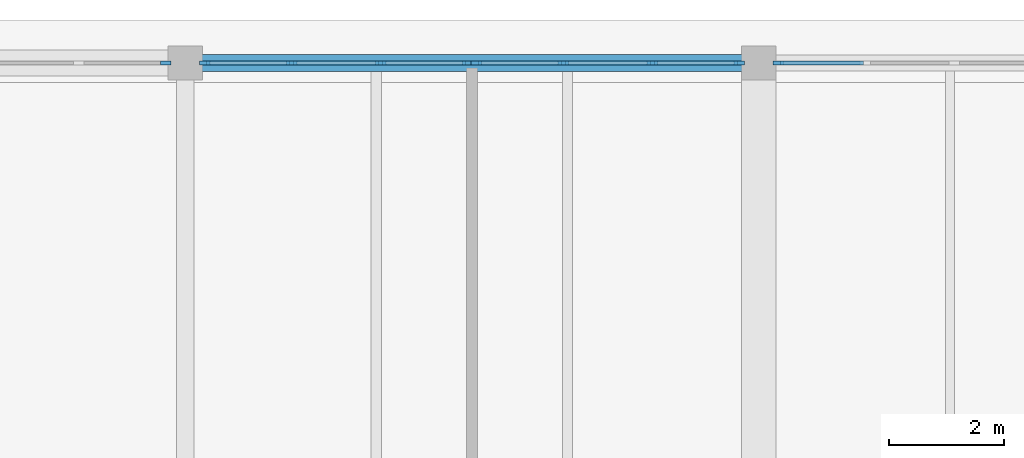
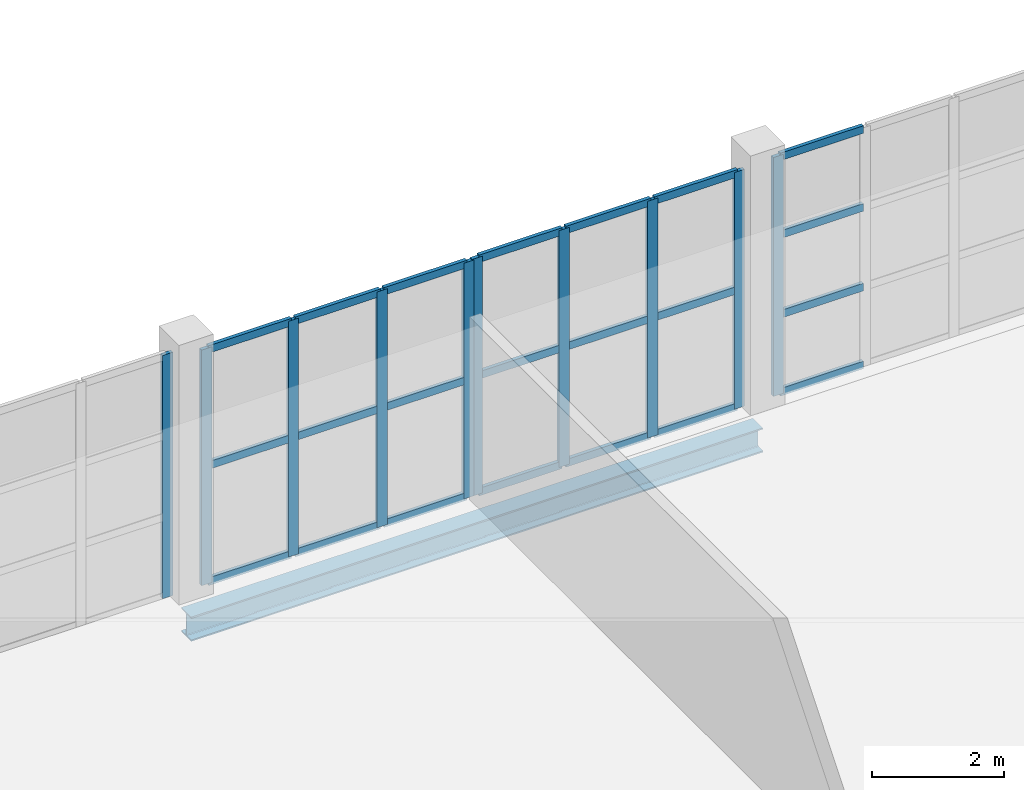
# One storey, part 40 of 121: 32 members, 1 beam, 4 elements without a shape of their own.
"""IFC4 building model written with IfcOpenShell, lengths in metres."""

from ifc_helpers import new_model, si_unit, direction, frame, origin, origin_2d, place, context, subcontext, project, spatial, rectangle, i_section, extrude, material, layer, layer_set, material_profile, profile_set, type_object, element, aggregate, save


model = new_model("IFC4")

# Units and contexts
model_context = context("Model", 3, precision=1e-05, world=origin(), true_north=direction((0.0, 1.0)))
body_context = subcontext(model_context, "Body", "Model", "MODEL_VIEW")
ifc_project = project(units=[si_unit("LENGTHUNIT", "METRE"), si_unit("AREAUNIT", "SQUARE_METRE"), si_unit("VOLUMEUNIT", "CUBIC_METRE"), si_unit("PLANEANGLEUNIT", "RADIAN"), si_unit("MASSUNIT", "GRAM", prefix="KILO")], contexts=[model_context])

# Site, building, storey
site_placement = place(None, origin())
site = spatial("IfcSite", under=ifc_project, at=site_placement, CompositionType="ELEMENT")
building_placement = place(site_placement, origin())
building = spatial("IfcBuilding", under=site, at=building_placement, Name="Zereglee Splitstone Museum", CompositionType="ELEMENT")
storey_placement = place(building_placement, origin())
storey = spatial("IfcBuildingStorey", under=building, at=storey_placement, Name="L00", CompositionType="ELEMENT", Elevation=0.0)

# Curtain wall, member
ifc_material_1 = material(Name="Triple-glazed low-E argon glass and bronze-anodised aluminium", Category="aluminium")
ifc_layer_1 = layer(ifc_material_1, 0.179931640625)
ifc_layer_set_1 = layer_set([ifc_layer_1], Name="Triple-glazed low-E argon glass and bronze-anodised aluminium")
curtain_wall_type_1 = type_object("IfcCurtainWallType", Name="CW-0465-442", PredefinedType="USERDEFINED", material=ifc_layer_set_1)
curtain_wall_1_placement = place(storey_placement, origin())
curtain_wall_1 = element("IfcCurtainWall", 1, at=curtain_wall_1_placement, inside=storey, type_object=curtain_wall_type_1, Name="Glazed Curtain Wall CW-0465-442 (L00)", ObjectType="GLAZED CURTAIN WALL", PredefinedType="USERDEFINED")
ifc_material_2 = material(Name="Thermally broken bronze-anodised aluminium", Category="aluminium")
ifc_material_profile_1 = material_profile(ifc_material_2, rectangle(XDim=0.06494140625, YDim=0.179931640625, at=origin_2d()), Name="CW MULL 65x180")
ifc_profile_set_1 = profile_set([ifc_material_profile_1], Name="Thermally broken bronze-anodised aluminium")
member_type_1 = type_object("IfcMemberType", Name="CWM-01", PredefinedType="MULLION", material=ifc_profile_set_1)
member_1_placement = place(storey_placement, frame((195.54052734375, 60.0, 0.0), z_axis=(0.0, 0.0, 1.0), x_axis=(0.0, -1.0, 0.0)))
member_1 = element("IfcMember", 2, at=member_1_placement, type_object=member_type_1, Name="CW-0465-442 mullion 4", PredefinedType="MULLION", context=body_context, shape_type="SweptSolid", body=[
    extrude(rectangle(XDim=0.06494140625, YDim=0.179931640625, at=origin_2d()), origin(), (0.0, 0.0, 1.0), 4.419921875),
])

# Curtain wall, members
ifc_layer_2 = layer(ifc_material_1, 0.179931640625)
ifc_layer_set_2 = layer_set([ifc_layer_2], Name="Triple-glazed low-E argon glass and bronze-anodised aluminium")
curtain_wall_type_2 = type_object("IfcCurtainWallType", Name="CW-0465-438", PredefinedType="USERDEFINED", material=ifc_layer_set_2)
curtain_wall_2_placement = place(storey_placement, origin())
curtain_wall_2 = element("IfcCurtainWall", 3, at=curtain_wall_2_placement, inside=storey, type_object=curtain_wall_type_2, Name="Glazed Curtain Wall CW-0465-438 (L00)", ObjectType="GLAZED CURTAIN WALL", PredefinedType="USERDEFINED")
member_2_placement = place(storey_placement, frame((194.859619140625, 60.0, 0.0), z_axis=(0.0, 0.0, 1.0), x_axis=(0.0, -1.0, 0.0)))
member_2 = element("IfcMember", 4, at=member_2_placement, type_object=member_type_1, Name="CW-0465-438 mullion 1", PredefinedType="MULLION", context=body_context, shape_type="SweptSolid", body=[
    extrude(rectangle(XDim=0.06494140625, YDim=0.179931640625, at=origin_2d()), origin(), (0.0, 0.0, 1.0), 4.3798828125),
])
member_3_placement = place(storey_placement, frame((193.34130859375, 60.0, 0.0), z_axis=(0.0, 0.0, 1.0), x_axis=(0.0, -1.0, 0.0)))
member_3 = element("IfcMember", 5, at=member_3_placement, type_object=member_type_1, Name="CW-0465-438 mullion 2", PredefinedType="MULLION", context=body_context, shape_type="SweptSolid", body=[
    extrude(rectangle(XDim=0.06494140625, YDim=0.179931640625, at=origin_2d()), origin(), (0.0, 0.0, 1.0), 4.3798828125),
])
member_4_placement = place(storey_placement, frame((191.790771484375, 60.0, 0.0), z_axis=(0.0, 0.0, 1.0), x_axis=(0.0, -1.0, 0.0)))
member_4 = element("IfcMember", 6, at=member_4_placement, type_object=member_type_1, Name="CW-0465-438 mullion 3", PredefinedType="MULLION", context=body_context, shape_type="SweptSolid", body=[
    extrude(rectangle(XDim=0.06494140625, YDim=0.179931640625, at=origin_2d()), origin(), (0.0, 0.0, 1.0), 4.3798828125),
])
member_5_placement = place(storey_placement, frame((190.2724609375, 60.0, 0.0), z_axis=(0.0, 0.0, 1.0), x_axis=(0.0, -1.0, 0.0)))
member_5 = element("IfcMember", 7, at=member_5_placement, type_object=member_type_1, Name="CW-0465-438 mullion 4", PredefinedType="MULLION", context=body_context, shape_type="SweptSolid", body=[
    extrude(rectangle(XDim=0.06494140625, YDim=0.179931640625, at=origin_2d()), origin(), (0.0, 0.0, 1.0), 4.3798828125),
])

ifc_layer_3 = layer(ifc_material_1, 0.179931640625)
ifc_layer_set_3 = layer_set([ifc_layer_3], Name="Triple-glazed low-E argon glass and bronze-anodised aluminium")
curtain_wall_type_3 = type_object("IfcCurtainWallType", Name="CW-0465-436", PredefinedType="USERDEFINED", material=ifc_layer_set_3)
curtain_wall_3_placement = place(storey_placement, origin())
curtain_wall_3 = element("IfcCurtainWall", 8, at=curtain_wall_3_placement, inside=storey, type_object=curtain_wall_type_3, Name="Glazed Curtain Wall CW-0465-436 (L00)", ObjectType="GLAZED CURTAIN WALL", PredefinedType="USERDEFINED")
member_6_placement = place(storey_placement, frame((190.12744140625, 60.0, 0.0), z_axis=(0.0, 0.0, 1.0), x_axis=(0.0, -1.0, 0.0)))
member_6 = element("IfcMember", 9, at=member_6_placement, type_object=member_type_1, Name="CW-0465-436 mullion 1", PredefinedType="MULLION", context=body_context, shape_type="SweptSolid", body=[
    extrude(rectangle(XDim=0.06494140625, YDim=0.179931640625, at=origin_2d()), origin(), (0.0, 0.0, 1.0), 4.360107421875),
])
member_7_placement = place(storey_placement, frame((188.609375, 60.0, 0.0), z_axis=(0.0, 0.0, 1.0), x_axis=(0.0, -1.0, 0.0)))
member_7 = element("IfcMember", 10, at=member_7_placement, type_object=member_type_1, Name="CW-0465-436 mullion 2", PredefinedType="MULLION", context=body_context, shape_type="SweptSolid", body=[
    extrude(rectangle(XDim=0.06494140625, YDim=0.179931640625, at=origin_2d()), origin(), (0.0, 0.0, 1.0), 4.360107421875),
])
member_8_placement = place(storey_placement, frame((187.05859375, 60.0, 0.0), z_axis=(0.0, 0.0, 1.0), x_axis=(0.0, -1.0, 0.0)))
member_8 = element("IfcMember", 11, at=member_8_placement, type_object=member_type_1, Name="CW-0465-436 mullion 3", PredefinedType="MULLION", context=body_context, shape_type="SweptSolid", body=[
    extrude(rectangle(XDim=0.06494140625, YDim=0.179931640625, at=origin_2d()), origin(), (0.0, 0.0, 1.0), 4.360107421875),
])
member_9_placement = place(storey_placement, frame((185.54052734375, 60.0, 0.0), z_axis=(0.0, 0.0, 1.0), x_axis=(0.0, -1.0, 0.0)))
member_9 = element("IfcMember", 12, at=member_9_placement, type_object=member_type_1, Name="CW-0465-436 mullion 4", PredefinedType="MULLION", context=body_context, shape_type="SweptSolid", body=[
    extrude(rectangle(XDim=0.06494140625, YDim=0.179931640625, at=origin_2d()), origin(), (0.0, 0.0, 1.0), 4.360107421875),
])

# Curtain wall, member
ifc_layer_4 = layer(ifc_material_1, 0.179931640625)
ifc_layer_set_4 = layer_set([ifc_layer_4], Name="Triple-glazed low-E argon glass and bronze-anodised aluminium")
curtain_wall_type_4 = type_object("IfcCurtainWallType", Name="CW-0465-450", PredefinedType="USERDEFINED", material=ifc_layer_set_4)
curtain_wall_4_placement = place(storey_placement, origin())
curtain_wall_4 = element("IfcCurtainWall", 13, at=curtain_wall_4_placement, inside=storey, type_object=curtain_wall_type_4, Name="Glazed Curtain Wall CW-0465-450 (L00)", ObjectType="GLAZED CURTAIN WALL", PredefinedType="USERDEFINED")
member_10_placement = place(storey_placement, frame((184.859619140625, 60.0, 0.0), z_axis=(0.0, 0.0, 1.0), x_axis=(0.0, -1.0, 0.0)))
member_10 = element("IfcMember", 14, at=member_10_placement, type_object=member_type_1, Name="CW-0465-450 mullion 1", PredefinedType="MULLION", context=body_context, shape_type="SweptSolid", body=[
    extrude(rectangle(XDim=0.06494140625, YDim=0.179931640625, at=origin_2d()), origin(), (0.0, 0.0, 1.0), 4.5),
])
aggregate(curtain_wall_4, [member_10])

# Member
ifc_material_profile_2 = material_profile(ifc_material_2, rectangle(XDim=0.06494140625, YDim=0.139892578125, at=origin_2d()), Name="CW TRAN 65x140")
ifc_profile_set_2 = profile_set([ifc_material_profile_2], Name="Thermally broken bronze-anodised aluminium")
member_type_2 = type_object("IfcMemberType", Name="CWT-01", PredefinedType="USERDEFINED", material=ifc_profile_set_2)
member_11_placement = place(storey_placement, frame((197.026123046875, 60.0, 0.032470703125), z_axis=(-1.0, 0.0, 0.0), x_axis=(0.0, -1.0, 0.0)))
member_11 = element("IfcMember", 15, at=member_11_placement, type_object=member_type_2, Name="CW-0465-442 transom 3.1", ObjectType="TRANSOM", PredefinedType="USERDEFINED", context=body_context, shape_type="SweptSolid", body=[
    extrude(rectangle(XDim=0.06494140625, YDim=0.139892578125, at=origin_2d()), origin(), (0.0, 0.0, 1.0), 1.453125),
])

member_12_placement = place(storey_placement, frame((197.026123046875, 60.0, 1.473388671875), z_axis=(-1.0, 0.0, 0.0), x_axis=(0.0, -1.0, 0.0)))
member_12 = element("IfcMember", 16, at=member_12_placement, type_object=member_type_2, Name="CW-0465-442 transom 3.2", ObjectType="TRANSOM", PredefinedType="USERDEFINED", context=body_context, shape_type="SweptSolid", body=[
    extrude(rectangle(XDim=0.06494140625, YDim=0.139892578125, at=origin_2d()), origin(), (0.0, 0.0, 1.0), 1.453125),
])

member_13_placement = place(storey_placement, frame((197.026123046875, 60.0, 2.94677734375), z_axis=(-1.0, 0.0, 0.0), x_axis=(0.0, -1.0, 0.0)))
member_13 = element("IfcMember", 17, at=member_13_placement, type_object=member_type_2, Name="CW-0465-442 transom 3.3", ObjectType="TRANSOM", PredefinedType="USERDEFINED", context=body_context, shape_type="SweptSolid", body=[
    extrude(rectangle(XDim=0.06494140625, YDim=0.139892578125, at=origin_2d()), origin(), (0.0, 0.0, 1.0), 1.453125),
])

member_14_placement = place(storey_placement, frame((197.026123046875, 60.0, 4.387451171875), z_axis=(-1.0, 0.0, 0.0), x_axis=(0.0, -1.0, 0.0)))
member_14 = element("IfcMember", 18, at=member_14_placement, type_object=member_type_2, Name="CW-0465-442 transom 3.4", ObjectType="TRANSOM", PredefinedType="USERDEFINED", context=body_context, shape_type="SweptSolid", body=[
    extrude(rectangle(XDim=0.06494140625, YDim=0.139892578125, at=origin_2d()), origin(), (0.0, 0.0, 1.0), 1.453125),
])

aggregate(curtain_wall_1, [member_1, member_11, member_12, member_13, member_14])

member_15_placement = place(storey_placement, frame((194.826904296875, 60.0, 0.032470703125), z_axis=(-1.0, 0.0, 0.0), x_axis=(0.0, -1.0, 0.0)))
member_15 = element("IfcMember", 19, at=member_15_placement, type_object=member_type_2, Name="CW-0465-438 transom 1.1", ObjectType="TRANSOM", PredefinedType="USERDEFINED", context=body_context, shape_type="SweptSolid", body=[
    extrude(rectangle(XDim=0.06494140625, YDim=0.139892578125, at=origin_2d()), origin(), (0.0, 0.0, 1.0), 1.453125),
])

member_16_placement = place(storey_placement, frame((194.826904296875, 60.0, 2.18994140625), z_axis=(-1.0, 0.0, 0.0), x_axis=(0.0, -1.0, 0.0)))
member_16 = element("IfcMember", 20, at=member_16_placement, type_object=member_type_2, Name="CW-0465-438 transom 1.2", ObjectType="TRANSOM", PredefinedType="USERDEFINED", context=body_context, shape_type="SweptSolid", body=[
    extrude(rectangle(XDim=0.06494140625, YDim=0.139892578125, at=origin_2d()), origin(), (0.0, 0.0, 1.0), 1.453125),
])

member_17_placement = place(storey_placement, frame((194.826904296875, 60.0, 4.347412109375), z_axis=(-1.0, 0.0, 0.0), x_axis=(0.0, -1.0, 0.0)))
member_17 = element("IfcMember", 21, at=member_17_placement, type_object=member_type_2, Name="CW-0465-438 transom 1.3", ObjectType="TRANSOM", PredefinedType="USERDEFINED", context=body_context, shape_type="SweptSolid", body=[
    extrude(rectangle(XDim=0.06494140625, YDim=0.139892578125, at=origin_2d()), origin(), (0.0, 0.0, 1.0), 1.453125),
])

member_18_placement = place(storey_placement, frame((193.308837890625, 60.0, 0.032470703125), z_axis=(-1.0, 0.0, 0.0), x_axis=(0.0, -1.0, 0.0)))
member_18 = element("IfcMember", 22, at=member_18_placement, type_object=member_type_2, Name="CW-0465-438 transom 2.1", ObjectType="TRANSOM", PredefinedType="USERDEFINED", context=body_context, shape_type="SweptSolid", body=[
    extrude(rectangle(XDim=0.06494140625, YDim=0.139892578125, at=origin_2d()), origin(), (0.0, 0.0, 1.0), 1.485595703125),
])

member_19_placement = place(storey_placement, frame((193.308837890625, 60.0, 2.18994140625), z_axis=(-1.0, 0.0, 0.0), x_axis=(0.0, -1.0, 0.0)))
member_19 = element("IfcMember", 23, at=member_19_placement, type_object=member_type_2, Name="CW-0465-438 transom 2.2", ObjectType="TRANSOM", PredefinedType="USERDEFINED", context=body_context, shape_type="SweptSolid", body=[
    extrude(rectangle(XDim=0.06494140625, YDim=0.139892578125, at=origin_2d()), origin(), (0.0, 0.0, 1.0), 1.485595703125),
])

member_20_placement = place(storey_placement, frame((193.308837890625, 60.0, 4.347412109375), z_axis=(-1.0, 0.0, 0.0), x_axis=(0.0, -1.0, 0.0)))
member_20 = element("IfcMember", 24, at=member_20_placement, type_object=member_type_2, Name="CW-0465-438 transom 2.3", ObjectType="TRANSOM", PredefinedType="USERDEFINED", context=body_context, shape_type="SweptSolid", body=[
    extrude(rectangle(XDim=0.06494140625, YDim=0.139892578125, at=origin_2d()), origin(), (0.0, 0.0, 1.0), 1.485595703125),
])

member_21_placement = place(storey_placement, frame((191.758056640625, 60.0, 0.032470703125), z_axis=(-1.0, 0.0, 0.0), x_axis=(0.0, -1.0, 0.0)))
member_21 = element("IfcMember", 25, at=member_21_placement, type_object=member_type_2, Name="CW-0465-438 transom 3.1", ObjectType="TRANSOM", PredefinedType="USERDEFINED", context=body_context, shape_type="SweptSolid", body=[
    extrude(rectangle(XDim=0.06494140625, YDim=0.139892578125, at=origin_2d()), origin(), (0.0, 0.0, 1.0), 1.453125),
])

member_22_placement = place(storey_placement, frame((191.758056640625, 60.0, 2.18994140625), z_axis=(-1.0, 0.0, 0.0), x_axis=(0.0, -1.0, 0.0)))
member_22 = element("IfcMember", 26, at=member_22_placement, type_object=member_type_2, Name="CW-0465-438 transom 3.2", ObjectType="TRANSOM", PredefinedType="USERDEFINED", context=body_context, shape_type="SweptSolid", body=[
    extrude(rectangle(XDim=0.06494140625, YDim=0.139892578125, at=origin_2d()), origin(), (0.0, 0.0, 1.0), 1.453125),
])

member_23_placement = place(storey_placement, frame((191.758056640625, 60.0, 4.347412109375), z_axis=(-1.0, 0.0, 0.0), x_axis=(0.0, -1.0, 0.0)))
member_23 = element("IfcMember", 27, at=member_23_placement, type_object=member_type_2, Name="CW-0465-438 transom 3.3", ObjectType="TRANSOM", PredefinedType="USERDEFINED", context=body_context, shape_type="SweptSolid", body=[
    extrude(rectangle(XDim=0.06494140625, YDim=0.139892578125, at=origin_2d()), origin(), (0.0, 0.0, 1.0), 1.453125),
])

aggregate(curtain_wall_2, [member_2, member_3, member_4, member_5, member_15, member_16, member_17, member_18, member_19, member_20, member_21, member_22, member_23])

member_24_placement = place(storey_placement, frame((190.094970703125, 60.0, 0.032470703125), z_axis=(-1.0, 0.0, 0.0), x_axis=(0.0, -1.0, 0.0)))
member_24 = element("IfcMember", 28, at=member_24_placement, type_object=member_type_2, Name="CW-0465-436 transom 1.1", ObjectType="TRANSOM", PredefinedType="USERDEFINED", context=body_context, shape_type="SweptSolid", body=[
    extrude(rectangle(XDim=0.06494140625, YDim=0.139892578125, at=origin_2d()), origin(), (0.0, 0.0, 1.0), 1.453125),
])

member_25_placement = place(storey_placement, frame((190.094970703125, 60.0, 2.179931640625), z_axis=(-1.0, 0.0, 0.0), x_axis=(0.0, -1.0, 0.0)))
member_25 = element("IfcMember", 29, at=member_25_placement, type_object=member_type_2, Name="CW-0465-436 transom 1.2", ObjectType="TRANSOM", PredefinedType="USERDEFINED", context=body_context, shape_type="SweptSolid", body=[
    extrude(rectangle(XDim=0.06494140625, YDim=0.139892578125, at=origin_2d()), origin(), (0.0, 0.0, 1.0), 1.453125),
])

member_26_placement = place(storey_placement, frame((190.094970703125, 60.0, 4.327392578125), z_axis=(-1.0, 0.0, 0.0), x_axis=(0.0, -1.0, 0.0)))
member_26 = element("IfcMember", 30, at=member_26_placement, type_object=member_type_2, Name="CW-0465-436 transom 1.3", ObjectType="TRANSOM", PredefinedType="USERDEFINED", context=body_context, shape_type="SweptSolid", body=[
    extrude(rectangle(XDim=0.06494140625, YDim=0.139892578125, at=origin_2d()), origin(), (0.0, 0.0, 1.0), 1.453125),
])

member_27_placement = place(storey_placement, frame((188.576904296875, 60.0, 0.032470703125), z_axis=(-1.0, 0.0, 0.0), x_axis=(0.0, -1.0, 0.0)))
member_27 = element("IfcMember", 31, at=member_27_placement, type_object=member_type_2, Name="CW-0465-436 transom 2.1", ObjectType="TRANSOM", PredefinedType="USERDEFINED", context=body_context, shape_type="SweptSolid", body=[
    extrude(rectangle(XDim=0.06494140625, YDim=0.139892578125, at=origin_2d()), origin(), (0.0, 0.0, 1.0), 1.48583984375),
])

member_28_placement = place(storey_placement, frame((188.576904296875, 60.0, 2.179931640625), z_axis=(-1.0, 0.0, 0.0), x_axis=(0.0, -1.0, 0.0)))
member_28 = element("IfcMember", 32, at=member_28_placement, type_object=member_type_2, Name="CW-0465-436 transom 2.2", ObjectType="TRANSOM", PredefinedType="USERDEFINED", context=body_context, shape_type="SweptSolid", body=[
    extrude(rectangle(XDim=0.06494140625, YDim=0.139892578125, at=origin_2d()), origin(), (0.0, 0.0, 1.0), 1.48583984375),
])

member_29_placement = place(storey_placement, frame((188.576904296875, 60.0, 4.327392578125), z_axis=(-1.0, 0.0, 0.0), x_axis=(0.0, -1.0, 0.0)))
member_29 = element("IfcMember", 33, at=member_29_placement, type_object=member_type_2, Name="CW-0465-436 transom 2.3", ObjectType="TRANSOM", PredefinedType="USERDEFINED", context=body_context, shape_type="SweptSolid", body=[
    extrude(rectangle(XDim=0.06494140625, YDim=0.139892578125, at=origin_2d()), origin(), (0.0, 0.0, 1.0), 1.48583984375),
])

member_30_placement = place(storey_placement, frame((187.026123046875, 60.0, 0.032470703125), z_axis=(-1.0, 0.0, 0.0), x_axis=(0.0, -1.0, 0.0)))
member_30 = element("IfcMember", 34, at=member_30_placement, type_object=member_type_2, Name="CW-0465-436 transom 3.1", ObjectType="TRANSOM", PredefinedType="USERDEFINED", context=body_context, shape_type="SweptSolid", body=[
    extrude(rectangle(XDim=0.06494140625, YDim=0.139892578125, at=origin_2d()), origin(), (0.0, 0.0, 1.0), 1.453125),
])

member_31_placement = place(storey_placement, frame((187.026123046875, 60.0, 2.179931640625), z_axis=(-1.0, 0.0, 0.0), x_axis=(0.0, -1.0, 0.0)))
member_31 = element("IfcMember", 35, at=member_31_placement, type_object=member_type_2, Name="CW-0465-436 transom 3.2", ObjectType="TRANSOM", PredefinedType="USERDEFINED", context=body_context, shape_type="SweptSolid", body=[
    extrude(rectangle(XDim=0.06494140625, YDim=0.139892578125, at=origin_2d()), origin(), (0.0, 0.0, 1.0), 1.453125),
])

member_32_placement = place(storey_placement, frame((187.026123046875, 60.0, 4.327392578125), z_axis=(-1.0, 0.0, 0.0), x_axis=(0.0, -1.0, 0.0)))
member_32 = element("IfcMember", 36, at=member_32_placement, type_object=member_type_2, Name="CW-0465-436 transom 3.3", ObjectType="TRANSOM", PredefinedType="USERDEFINED", context=body_context, shape_type="SweptSolid", body=[
    extrude(rectangle(XDim=0.06494140625, YDim=0.139892578125, at=origin_2d()), origin(), (0.0, 0.0, 1.0), 1.453125),
])

aggregate(curtain_wall_3, [member_6, member_7, member_8, member_9, member_24, member_25, member_26, member_27, member_28, member_29, member_30, member_31, member_32])

# Beam
ifc_material_3 = material(Name="Steel S355J2", Category="steel")
ifc_material_profile_3 = material_profile(ifc_material_3, i_section(OverallWidth=0.300048828125, OverallDepth=0.449951171875, WebThickness=0.013916015625, FlangeThickness=0.02587890625, FilletRadius=0.027099609375, at=origin_2d()), Name="HE 450 B")
ifc_profile_set_3 = profile_set([ifc_material_profile_3], Name="Steel S355J2")
beam_type = type_object("IfcBeamType", Name="SP-02", PredefinedType="SPANDREL", material=ifc_profile_set_3)
beam_placement = place(storey_placement, frame((185.199951171875, 60.0, -0.64501953125), z_axis=(1.0, 0.0, 0.0), x_axis=(0.0, 1.0, 0.0)))
element("IfcBeam", 37, at=beam_placement, inside=storey, type_object=beam_type, Name="Primary Girder L00 G (185.2-195.2)", PredefinedType="SPANDREL", context=body_context, shape_type="SweptSolid", body=[
    extrude(i_section(OverallWidth=0.300048828125, OverallDepth=0.449951171875, WebThickness=0.013916015625, FlangeThickness=0.02587890625, FilletRadius=0.027099609375, at=origin_2d()), origin(), (0.0, 0.0, 1.0), 10.0),
])

save(model, "model.ifc")
